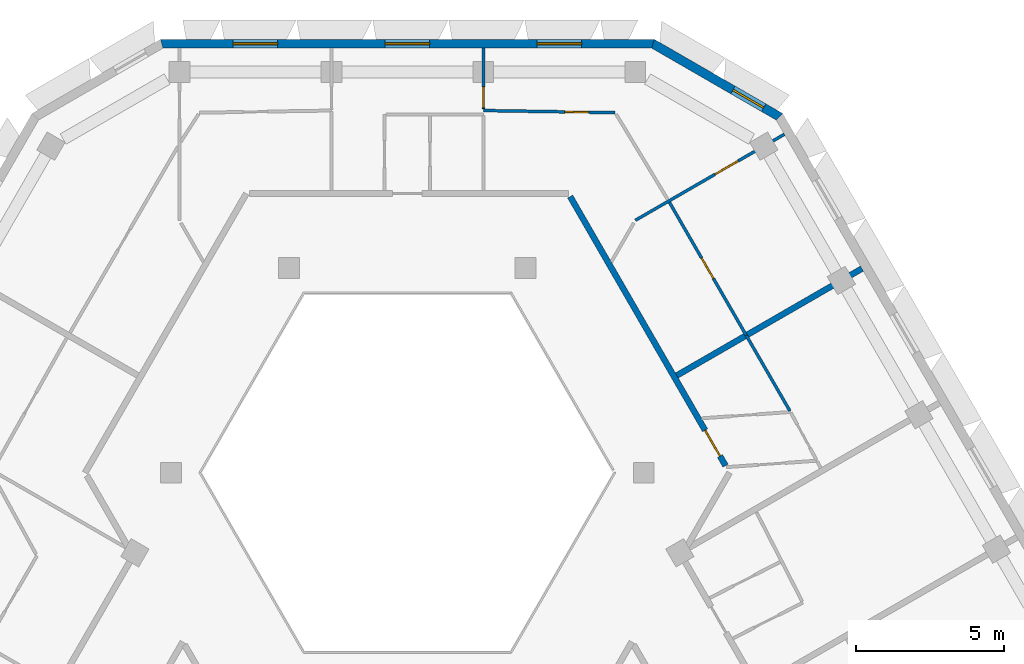
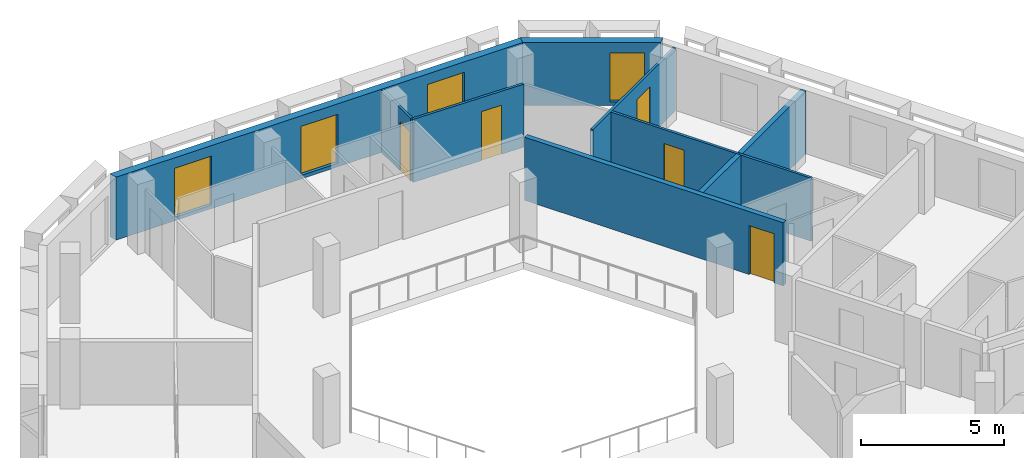
# One storey, part 7 of 14: 9 walls, 5 doors, 4 windows, 9 openings.
"""IFC4 building model written with IfcOpenShell, lengths in metres."""

import ifcopenshell
import ifcopenshell.guid

model = None  # the IFC model being written
_history = None  # IfcOwnerHistory: only IFC2X3 demands one
_inside = {}  # id of a spatial element -> (the spatial element, [elements in it])
_under = {}  # id of a project, library or spatial element -> (it, [spatial elements below it])
_declared = {}  # id of a project -> (the project, [libraries it declares])
_typed = {}  # id of a type object -> (the type object, [elements of that type])
_made_of = {}  # id of a material, layer set ... -> (it, [elements and type objects made of it])


def new_model(schema):
    """Start an empty IFC model of exactly this schema.

    Asked for "IFC4X3", IfcOpenShell would pick the latest addendum, in which some entities
    have other attributes; the version numbers below select the first issue.
    IFC2X3 requires an IfcOwnerHistory on every rooted entity: one is made here for all.
    """
    global model, _history
    if schema == "IFC4X3":
        model = ifcopenshell.file(schema_version=(4, 3, 0, 0))
    else:
        model = ifcopenshell.file(schema=schema)
    _inside.clear()
    _under.clear()
    _declared.clear()
    _typed.clear()
    _made_of.clear()
    _history = None
    if model.schema == "IFC2X3":
        org = make("IfcOrganization", Name="unknown")
        user = make(
            "IfcPersonAndOrganization",
            ThePerson=make("IfcPerson", FamilyName="unknown"),
            TheOrganization=org,
        )
        app = make(
            "IfcApplication",
            ApplicationDeveloper=org,
            Version="unknown",
            ApplicationFullName="unknown",
            ApplicationIdentifier="unknown",
        )
        _history = make(
            "IfcOwnerHistory",
            OwningUser=user,
            OwningApplication=app,
            ChangeAction="ADDED",
            CreationDate=0,
        )
    return model


def make(cls, **values):
    """One entity of the class cls with the attributes given. An attribute that is None is left unset."""
    return model.create_entity(
        cls, **{name: value for name, value in values.items() if value is not None}
    )


def rooted(cls, **values):
    """An entity with a GlobalId (a new one), such as an element, a storey or a relation."""
    return make(cls, GlobalId=ifcopenshell.guid.new(), OwnerHistory=_history, **values)


def si_unit(unit_type, name, prefix=None):
    """IfcSIUnit, for example si_unit("LENGTHUNIT", "METRE", prefix="MILLI")."""
    return make("IfcSIUnit", UnitType=unit_type, Prefix=prefix, Name=name)


def assignment(units):
    """IfcUnitAssignment: the units of a project."""
    return None if units is None else make("IfcUnitAssignment", Units=units)


def point(xyz):
    """IfcCartesianPoint."""
    return None if xyz is None else make("IfcCartesianPoint", Coordinates=xyz)


def direction(xyz):
    """IfcDirection."""
    return None if xyz is None else make("IfcDirection", DirectionRatios=xyz)


def frame(location, z_axis=None, x_axis=None):
    """IfcAxis2Placement3D, a coordinate frame: its origin and axes. An axis left out is left unset."""
    return make(
        "IfcAxis2Placement3D",
        Location=point(location),
        Axis=direction(z_axis),
        RefDirection=direction(x_axis),
    )


def frame_2d(location, x_axis=None):
    """IfcAxis2Placement2D, a coordinate frame in the plane: its origin and x axis."""
    return make(
        "IfcAxis2Placement2D", Location=point(location), RefDirection=direction(x_axis)
    )


def origin():
    """The frame at (0, 0, 0) with its axes left unset."""
    return frame((0.0, 0.0, 0.0))


def place(relative_to, where):
    """IfcLocalPlacement: puts the frame where relative to a parent placement (None: the world)."""
    return make(
        "IfcLocalPlacement", PlacementRelTo=relative_to, RelativePlacement=where
    )


def context(
    kind, dimensions, precision=None, world=None, true_north=None, identifier=None
):
    """IfcGeometricRepresentationContext, for example the 3D "Model" context."""
    return make(
        "IfcGeometricRepresentationContext",
        ContextIdentifier=identifier,
        ContextType=kind,
        CoordinateSpaceDimension=dimensions,
        Precision=precision,
        WorldCoordinateSystem=world,
        TrueNorth=true_north,
    )


def subcontext(parent, identifier, kind, view, scale=None):
    """IfcGeometricRepresentationSubContext, for example "Body" below "Model"."""
    return make(
        "IfcGeometricRepresentationSubContext",
        ContextIdentifier=identifier,
        ContextType=kind,
        ParentContext=parent,
        TargetScale=scale,
        TargetView=view,
    )


def project(units=None, contexts=None):
    """IfcProject with its units and contexts."""
    return rooted(
        "IfcProject",
        Name="project",
        RepresentationContexts=contexts,
        UnitsInContext=assignment(units),
    )


def spatial(cls, under=None, at=None, **own):
    """A site, building, storey or space (cls), placed at a placement, below another one or the project."""
    s = rooted(cls, ObjectPlacement=at, **own)
    if under is not None:
        _under.setdefault(under.id(), (under, []))[1].append(s)
    return s


def polyline(points):
    """IfcPolyline through the points."""
    return make("IfcPolyline", Points=[point(p) for p in points])


def profile(cls, at=None, kind="AREA", **sizes):
    """A parametric profile (cls). Its sizes go by their IFC names, for example OverallWidth=200.0."""
    return make(cls, ProfileType=kind, Position=at, **sizes)


def rectangle(**sizes):
    """IfcRectangleProfileDef."""
    return profile("IfcRectangleProfileDef", **sizes)


def outline(outer, holes=None, kind="AREA"):
    """IfcArbitraryClosedProfileDef: a profile drawn as a closed curve; with holes, ...WithVoids."""
    if holes is None:
        return make("IfcArbitraryClosedProfileDef", ProfileType=kind, OuterCurve=outer)
    return make(
        "IfcArbitraryProfileDefWithVoids",
        ProfileType=kind,
        OuterCurve=outer,
        InnerCurves=holes,
    )


def extrude(swept, where, along, depth):
    """IfcExtrudedAreaSolid: the profile swept, set in the frame where, extruded along a direction by depth."""
    return make(
        "IfcExtrudedAreaSolid",
        SweptArea=swept,
        Position=where,
        ExtrudedDirection=direction(along),
        Depth=depth,
    )


def shape(context_of_items, identifier, shape_type, items):
    """IfcShapeRepresentation: the items that make up one representation, for example the "Body"."""
    return make(
        "IfcShapeRepresentation",
        ContextOfItems=context_of_items,
        RepresentationIdentifier=identifier,
        RepresentationType=shape_type,
        Items=items,
    )


def material(Name=None, Category=None):
    """IfcMaterial."""
    return make("IfcMaterial", Name=Name, Category=Category)


def layer(
    of_material, thickness, ventilated=None, Name=None, Category=None, Priority=None
):
    """IfcMaterialLayer: one layer of a wall or slab, of a material (None: an air gap)."""
    return make(
        "IfcMaterialLayer",
        Material=of_material,
        LayerThickness=thickness,
        IsVentilated=ventilated,
        Name=Name,
        Category=Category,
        Priority=Priority,
    )


def layer_set(layers, Name=None):
    """IfcMaterialLayerSet."""
    return make("IfcMaterialLayerSet", MaterialLayers=layers, LayerSetName=Name)


def made_of(thing, what):
    """Note that an element or type object is made of a material, layer set ...; save() writes the relation."""
    if what is not None:
        _made_of.setdefault(what.id(), (what, []))[1].append(thing)
    return thing


def type_object(cls, material=None, **own):
    """A type object (cls), such as IfcWallType, which elements share."""
    return made_of(rooted(cls, **own), material)


def element(
    cls,
    number,
    at=None,
    inside=None,
    cuts=None,
    type_object=None,
    material=None,
    context=None,
    identifier="Body",
    shape_type=None,
    held_by="IfcProductDefinitionShape",
    body=None,
    shapes=None,
    **own,
):
    """One element of the class cls, such as IfcWall. Its Tag is "e" and its number.

    at: its placement. inside: the storey or other place that contains it. cuts: it is an
    opening in that element (IfcRelVoidsElement). A single representation is given by context,
    identifier, shape_type and body (its items); several are given by shapes. held_by: the class
    of the entity that holds the representations. save() writes the other relations.
    """
    e = rooted(cls, Tag="e%d" % number, ObjectPlacement=at, **own)
    if body is not None:
        shapes = [shape(context, identifier, shape_type, body)]
    if shapes is not None:
        e.Representation = make(held_by, Representations=shapes)
    if inside is not None:
        _inside.setdefault(inside.id(), (inside, []))[1].append(e)
    if cuts is not None:
        rooted(
            "IfcRelVoidsElement", RelatingBuildingElement=cuts, RelatedOpeningElement=e
        )
    if type_object is not None:
        _typed.setdefault(type_object.id(), (type_object, []))[1].append(e)
    return made_of(e, material)


def fill(opening, filler):
    """IfcRelFillsElement: the door or window that sits in an opening."""
    return rooted(
        "IfcRelFillsElement",
        RelatingOpeningElement=opening,
        RelatedBuildingElement=filler,
    )


def aggregate(whole, parts):
    """IfcRelAggregates: a whole, such as a stair, and the parts it consists of."""
    return rooted("IfcRelAggregates", RelatingObject=whole, RelatedObjects=parts)


def save(model, path):
    """Write the relations noted so far, then the file.

    IfcRelAggregates (storeys below a building ...), IfcRelContainedInSpatialStructure (elements
    in a storey), IfcRelDefinesByType, IfcRelAssociatesMaterial and IfcRelDeclares: one each for
    every whole, place, type object, material and project.
    """
    for whole, parts in _under.values():
        aggregate(whole, parts)
    for where, things in _inside.values():
        rooted(
            "IfcRelContainedInSpatialStructure",
            RelatedElements=things,
            RelatingStructure=where,
        )
    for kind, things in _typed.values():
        rooted("IfcRelDefinesByType", RelatedObjects=things, RelatingType=kind)
    for what, things in _made_of.values():
        rooted("IfcRelAssociatesMaterial", RelatedObjects=things, RelatingMaterial=what)
    for by, libraries in _declared.values():
        rooted("IfcRelDeclares", RelatingContext=by, RelatedDefinitions=libraries)
    model.write(path)


model = new_model("IFC4")

# Units and contexts
model_context = context("Model", 3, precision=1e-05, world=origin(), true_north=direction((0.0, 1.0)))
body_context = subcontext(model_context, "Body", "Model", "MODEL_VIEW")
ifc_project = project(units=[si_unit("LENGTHUNIT", "METRE"), si_unit("AREAUNIT", "SQUARE_METRE"), si_unit("VOLUMEUNIT", "CUBIC_METRE"), si_unit("PLANEANGLEUNIT", "RADIAN"), si_unit("MASSUNIT", "GRAM", prefix="KILO")], contexts=[model_context])

# Site, building, storey
site_placement = place(None, origin())
site = spatial("IfcSite", under=ifc_project, at=site_placement, CompositionType="ELEMENT")
building_placement = place(site_placement, origin())
building = spatial("IfcBuilding", under=site, at=building_placement, Name="Beryl Residences", CompositionType="ELEMENT")
storey_placement = place(building_placement, frame((0.0, 0.0, 235.800048828125)))
storey = spatial("IfcBuildingStorey", under=building, at=storey_placement, Name="L73", CompositionType="ELEMENT", Elevation=235.800048828125)

# Wall, openings, windows
ifc_material_1 = material(Name="Composite metal panel with mineral wool insulation")
ifc_layer_1 = layer(ifc_material_1, 0.300048828125)
ifc_layer_set_1 = layer_set([ifc_layer_1], Name="ES1 pale metal composite panel wall 300 mm")
wall_type_1 = type_object("IfcWallType", Name="ES1 pale metal composite panel wall 300 mm", PredefinedType="SOLIDWALL", material=ifc_layer_set_1)
wall_1_placement = place(storey_placement, frame((8.31396484375, 22.449951171875, 0.0), z_axis=(0.0, 0.0, 1.0), x_axis=(-1.0, 0.0, 0.0)))
wall_1 = element("IfcWall", 1, at=wall_1_placement, inside=storey, type_object=wall_type_1, Name="ES1 external wall L73 N", PredefinedType="SOLIDWALL", context=body_context, shape_type="SweptSolid", body=[
    extrude(outline(polyline([(0.0, -0.14990234375), (16.6279296875, -0.14990234375), (16.547607421875, 0.14990234375), (0.080322265625, 0.14990234375), (0.0, -0.14990234375)])), origin(), (0.0, 0.0, 1.0), 2.699951171875),
])
opening_1_placement = place(wall_1_placement, frame((2.444091796875, 0.0, 0.14990234375)))
opening_1 = element("IfcOpeningElement", 2, at=opening_1_placement, cuts=wall_1, Name="Opening W1", PredefinedType="OPENING", context=body_context, shape_type="SweptSolid", body=[
    extrude(rectangle(XDim=1.5, YDim=2.10009765625, at=frame_2d((0.75, 1.050048828125))), frame((0.0, 0.159912109375, 0.0), z_axis=(0.0, -1.0, 0.0), x_axis=(1.0, 0.0, 0.0)), (0.0, 0.0, 1.0), 0.320068359375),
])
opening_2_placement = place(wall_1_placement, frame((7.56396484375, 0.0, 0.14990234375)))
opening_2 = element("IfcOpeningElement", 3, at=opening_2_placement, cuts=wall_1, Name="Opening W1", PredefinedType="OPENING", context=body_context, shape_type="SweptSolid", body=[
    extrude(rectangle(XDim=1.5, YDim=2.10009765625, at=frame_2d((0.75, 1.050048828125))), frame((0.0, 0.159912109375, 0.0), z_axis=(0.0, -1.0, 0.0), x_axis=(1.0, 0.0, 0.0)), (0.0, 0.0, 1.0), 0.320068359375),
])
opening_3_placement = place(wall_1_placement, frame((12.68310546875, 0.0, 0.14990234375)))
opening_3 = element("IfcOpeningElement", 4, at=opening_3_placement, cuts=wall_1, Name="Opening W1", PredefinedType="OPENING", context=body_context, shape_type="SweptSolid", body=[
    extrude(rectangle(XDim=1.5, YDim=2.10009765625, at=frame_2d((0.75, 1.050048828125))), frame((0.0, 0.159912109375, 0.0), z_axis=(0.0, -1.0, 0.0), x_axis=(1.0, 0.0, 0.0)), (0.0, 0.0, 1.0), 0.320068359375),
])
ifc_material_2 = material(Name="Aluminium and clear glass", Category="aluminium")
window_type_1 = type_object("IfcWindowType", Name="W1 cell window 1500 x 2100 mm", PartitioningType="SINGLE_PANEL", PredefinedType="WINDOW", material=ifc_material_2)
window_1_placement = place(opening_1_placement, origin())
window_1 = element("IfcWindow", 5, at=window_1_placement, inside=storey, type_object=window_type_1, Name="W1 window L73 N 2", OverallHeight=2.10009765625, OverallWidth=1.5, PartitioningType="SINGLE_PANEL", PredefinedType="WINDOW", context=body_context, shape_type="SweptSolid", body=[
    extrude(rectangle(XDim=1.5, YDim=2.10009765625, at=frame_2d((0.75, 1.050048828125))), frame((0.0, 0.030029296875, 0.0), z_axis=(0.0, -1.0, 0.0), x_axis=(1.0, 0.0, 0.0)), (0.0, 0.0, 1.0), 0.06005859375),
])
fill(opening_1, window_1)
window_2_placement = place(opening_2_placement, origin())
window_2 = element("IfcWindow", 6, at=window_2_placement, inside=storey, type_object=window_type_1, Name="W1 window L73 N 4", OverallHeight=2.10009765625, OverallWidth=1.5, PartitioningType="SINGLE_PANEL", PredefinedType="WINDOW", context=body_context, shape_type="SweptSolid", body=[
    extrude(rectangle(XDim=1.5, YDim=2.10009765625, at=frame_2d((0.75, 1.050048828125))), frame((0.0, 0.030029296875, 0.0), z_axis=(0.0, -1.0, 0.0), x_axis=(1.0, 0.0, 0.0)), (0.0, 0.0, 1.0), 0.06005859375),
])
fill(opening_2, window_2)
window_3_placement = place(opening_3_placement, origin())
window_3 = element("IfcWindow", 7, at=window_3_placement, inside=storey, type_object=window_type_1, Name="W1 window L73 N 6", OverallHeight=2.10009765625, OverallWidth=1.5, PartitioningType="SINGLE_PANEL", PredefinedType="WINDOW", context=body_context, shape_type="SweptSolid", body=[
    extrude(rectangle(XDim=1.5, YDim=2.10009765625, at=frame_2d((0.75, 1.050048828125))), frame((0.0, 0.030029296875, 0.0), z_axis=(0.0, -1.0, 0.0), x_axis=(1.0, 0.0, 0.0)), (0.0, 0.0, 1.0), 0.06005859375),
])
fill(opening_3, window_3)

# Wall, opening, window
wall_2_placement = place(storey_placement, frame((12.569091796875, 19.969970703125, 0.0), z_axis=(0.0, 0.0, 1.0), x_axis=(-0.866022959057, 0.500004234368, 0.0)))
wall_2 = element("IfcWall", 8, at=wall_2_placement, inside=storey, type_object=wall_type_1, Name="ES1 external wall L73 NE-N", PredefinedType="SOLIDWALL", context=body_context, shape_type="SweptSolid", body=[
    extrude(outline(polyline([(0.0, -0.14990234375), (5.0, -0.14990234375), (4.919677734375, 0.14990234375), (0.080322265625, 0.14990234375), (0.0, -0.14990234375)])), origin(), (0.0, 0.0, 1.0), 2.699951171875),
])
opening_4_placement = place(wall_2_placement, frame((0.64990234375, 0.0, 0.14990234375)))
opening_4 = element("IfcOpeningElement", 9, at=opening_4_placement, cuts=wall_2, Name="Opening W2", PredefinedType="OPENING", context=body_context, shape_type="SweptSolid", body=[
    extrude(rectangle(XDim=1.199951171875, YDim=2.10009765625, at=frame_2d((0.60009765625, 1.050048828125))), frame((0.0, 0.159912109375, 0.0), z_axis=(0.0, -1.0, 0.0), x_axis=(1.0, 0.0, 0.0)), (0.0, 0.0, 1.0), 0.320068359375),
])
ifc_material_3 = material(Name="Aluminium and clear glass", Category="aluminium")
window_type_2 = type_object("IfcWindowType", Name="W2 chamfer window 1200 x 2100 mm", PartitioningType="SINGLE_PANEL", PredefinedType="WINDOW", material=ifc_material_3)
window_4_placement = place(opening_4_placement, origin())
window_4 = element("IfcWindow", 10, at=window_4_placement, inside=storey, type_object=window_type_2, Name="W2 window L73 NE-N 1", OverallHeight=2.10009765625, OverallWidth=1.199951171875, PartitioningType="SINGLE_PANEL", PredefinedType="WINDOW", context=body_context, shape_type="SweptSolid", body=[
    extrude(rectangle(XDim=1.199951171875, YDim=2.10009765625, at=frame_2d((0.60009765625, 1.050048828125))), frame((0.0, 0.030029296875, 0.0), z_axis=(0.0, -1.0, 0.0), x_axis=(1.0, 0.0, 0.0)), (0.0, 0.0, 1.0), 0.06005859375),
])
fill(opening_4, window_4)

# Wall, opening, door
ifc_material_4 = material(Name="Gypsum board partition on steel studs", Category="steel")
ifc_layer_2 = layer(ifc_material_4, 0.10009765625)
ifc_layer_set_2 = layer_set([ifc_layer_2], Name="PT1 partition 100 mm gypsum board on steel studs")
wall_type_2 = type_object("IfcWallType", Name="PT1 partition 100 mm gypsum board on steel studs", PredefinedType="PARTITIONING", material=ifc_layer_set_2)
wall_3_placement = place(storey_placement, frame((8.8291015625, 17.10693359375, 0.0), z_axis=(0.0, 0.0, 1.0), x_axis=(0.500035512416, -0.866004899711, 0.0)))
wall_3 = element("IfcWall", 11, at=wall_3_placement, inside=storey, type_object=wall_type_2, Name="Wall PT1 L73 004", PredefinedType="PARTITIONING", context=body_context, shape_type="SweptSolid", body=[
    extrude(rectangle(XDim=5.17529296875, YDim=0.10009765625, at=frame_2d((2.587646484375, 0.0))), origin(), (0.0, 0.0, 1.0), 2.699951171875),
])
opening_5_placement = place(wall_3_placement, frame((2.1630859375, 0.0, 0.0)))
opening_5 = element("IfcOpeningElement", 12, at=opening_5_placement, cuts=wall_3, Name="Opening D2207", PredefinedType="OPENING", context=body_context, shape_type="SweptSolid", body=[
    extrude(rectangle(XDim=0.800048828125, YDim=2.10009765625, at=frame_2d((0.39990234375, 1.050048828125))), frame((0.0, 0.06005859375, 0.0), z_axis=(0.0, -1.0, 0.0), x_axis=(1.0, 0.0, 0.0)), (0.0, 0.0, 1.0), 0.1201171875),
])
ifc_material_5 = material(Name="Timber door leaf", Category="wood")
door_type_1 = type_object("IfcDoorType", Name="D3 bathroom door 800 x 2100 mm", OperationType="SINGLE_SWING_LEFT", PredefinedType="DOOR", material=ifc_material_5)
door_1_placement = place(opening_5_placement, origin())
door_1 = element("IfcDoor", 13, at=door_1_placement, inside=storey, type_object=door_type_1, Name="Door D2207 L73 001", OperationType="SINGLE_SWING_LEFT", OverallHeight=2.10009765625, OverallWidth=0.800048828125, PredefinedType="DOOR", context=body_context, shape_type="SweptSolid", body=[
    extrude(rectangle(XDim=0.800048828125, YDim=2.10009765625, at=frame_2d((0.39990234375, 1.050048828125))), frame((0.0, 0.02490234375, 0.0), z_axis=(0.0, -1.0, 0.0), x_axis=(1.0, 0.0, 0.0)), (0.0, 0.0, 1.0), 0.050048828125),
])
fill(opening_5, door_1)

wall_4_placement = place(storey_placement, frame((2.56005859375, 22.300048828125, 0.0), z_axis=(0.0, 0.0, 1.0), x_axis=(0.0, -1.0, 0.0)))
wall_4 = element("IfcWall", 14, at=wall_4_placement, inside=storey, type_object=wall_type_2, Name="Wall PT1 L73 011", PredefinedType="PARTITIONING", context=body_context, shape_type="SweptSolid", body=[
    extrude(rectangle(XDim=2.050048828125, YDim=0.10009765625, at=frame_2d((1.02490234375, 0.0))), origin(), (0.0, 0.0, 1.0), 2.699951171875),
])
opening_6_placement = place(wall_4_placement, frame((1.300048828125, 0.0, 0.0)))
opening_6 = element("IfcOpeningElement", 15, at=opening_6_placement, cuts=wall_4, Name="Opening D2205", PredefinedType="OPENING", context=body_context, shape_type="SweptSolid", body=[
    extrude(rectangle(XDim=0.699951171875, YDim=2.10009765625, at=frame_2d((0.35009765625, 1.050048828125))), frame((0.0, 0.06005859375, 0.0), z_axis=(0.0, -1.0, 0.0), x_axis=(1.0, 0.0, 0.0)), (0.0, 0.0, 1.0), 0.1201171875),
])
ifc_material_6 = material(Name="Timber door leaf", Category="wood")
door_type_2 = type_object("IfcDoorType", Name="D14 room door 700 x 2100 mm", OperationType="SINGLE_SWING_LEFT", PredefinedType="DOOR", material=ifc_material_6)
door_2_placement = place(opening_6_placement, origin())
door_2 = element("IfcDoor", 16, at=door_2_placement, inside=storey, type_object=door_type_2, Name="Door D2205 L73 001", OperationType="SINGLE_SWING_LEFT", OverallHeight=2.10009765625, OverallWidth=0.699951171875, PredefinedType="DOOR", context=body_context, shape_type="SweptSolid", body=[
    extrude(rectangle(XDim=0.699951171875, YDim=2.10009765625, at=frame_2d((0.35009765625, 1.050048828125))), frame((0.0, 0.02490234375, 0.0), z_axis=(0.0, -1.0, 0.0), x_axis=(1.0, 0.0, 0.0)), (0.0, 0.0, 1.0), 0.050048828125),
])
fill(opening_6, door_2)

wall_5_placement = place(storey_placement, frame((2.56005859375, 20.199951171875, 0.0), z_axis=(0.0, 0.0, 1.0), x_axis=(0.999868576801, -0.016212005615, 0.0)))
wall_5 = element("IfcWall", 17, at=wall_5_placement, inside=storey, type_object=wall_type_2, Name="Wall PT1 L73 013", PredefinedType="PARTITIONING", context=body_context, shape_type="SweptSolid", body=[
    extrude(rectangle(XDim=4.4423828125, YDim=0.10009765625, at=frame_2d((2.22119140625, 0.0))), origin(), (0.0, 0.0, 1.0), 2.699951171875),
])
opening_7_placement = place(wall_5_placement, frame((2.74609375, 0.0, 0.0)))
opening_7 = element("IfcOpeningElement", 18, at=opening_7_placement, cuts=wall_5, Name="Opening D2208", PredefinedType="OPENING", context=body_context, shape_type="SweptSolid", body=[
    extrude(rectangle(XDim=0.800048828125, YDim=2.10009765625, at=frame_2d((0.39990234375, 1.050048828125))), frame((0.0, 0.06005859375, 0.0), z_axis=(0.0, -1.0, 0.0), x_axis=(1.0, 0.0, 0.0)), (0.0, 0.0, 1.0), 0.1201171875),
])
door_3_placement = place(opening_7_placement, origin())
door_3 = element("IfcDoor", 19, at=door_3_placement, inside=storey, type_object=door_type_1, Name="Door D2208 L73 001", OperationType="SINGLE_SWING_RIGHT", OverallHeight=2.10009765625, OverallWidth=0.800048828125, PredefinedType="DOOR", context=body_context, shape_type="SweptSolid", body=[
    extrude(rectangle(XDim=0.800048828125, YDim=2.10009765625, at=frame_2d((0.39990234375, 1.050048828125))), frame((0.0, 0.02490234375, 0.0), z_axis=(0.0, -1.0, 0.0), x_axis=(1.0, 0.0, 0.0)), (0.0, 0.0, 1.0), 0.050048828125),
])
fill(opening_7, door_3)

wall_6_placement = place(storey_placement, frame((7.679931640625, 16.5009765625, 0.0), z_axis=(0.0, 0.0, 1.0), x_axis=(0.86602149507, 0.500006770031, 0.0)))
wall_6 = element("IfcWall", 20, at=wall_6_placement, inside=storey, type_object=wall_type_2, Name="Wall PT1 L73 034", PredefinedType="PARTITIONING", context=body_context, shape_type="SweptSolid", body=[
    extrude(rectangle(XDim=5.7978515625, YDim=0.10009765625, at=frame_2d((2.89892578125, 0.0))), origin(), (0.0, 0.0, 1.0), 2.699951171875),
])
opening_8_placement = place(wall_6_placement, frame((3.097900390625, 0.0, 0.0)))
opening_8 = element("IfcOpeningElement", 21, at=opening_8_placement, cuts=wall_6, Name="Opening D2206", PredefinedType="OPENING", context=body_context, shape_type="SweptSolid", body=[
    extrude(rectangle(XDim=0.89990234375, YDim=2.10009765625, at=frame_2d((0.449951171875, 1.050048828125))), frame((0.0, 0.06005859375, 0.0), z_axis=(0.0, -1.0, 0.0), x_axis=(1.0, 0.0, 0.0)), (0.0, 0.0, 1.0), 0.1201171875),
])
ifc_material_7 = material(Name="Timber door leaf", Category="wood")
door_type_3 = type_object("IfcDoorType", Name="D2 room door 900 x 2100 mm", OperationType="SINGLE_SWING_LEFT", PredefinedType="DOOR", material=ifc_material_7)
door_4_placement = place(opening_8_placement, origin())
door_4 = element("IfcDoor", 22, at=door_4_placement, inside=storey, type_object=door_type_3, Name="Door D2206 L73 001", OperationType="SINGLE_SWING_RIGHT", OverallHeight=2.10009765625, OverallWidth=0.89990234375, PredefinedType="DOOR", context=body_context, shape_type="SweptSolid", body=[
    extrude(rectangle(XDim=0.89990234375, YDim=2.10009765625, at=frame_2d((0.449951171875, 1.050048828125))), frame((0.0, 0.02490234375, 0.0), z_axis=(0.0, -1.0, 0.0), x_axis=(1.0, 0.0, 0.0)), (0.0, 0.0, 1.0), 0.050048828125),
])
fill(opening_8, door_4)

# Walls
wall_7_placement = place(storey_placement, frame((11.4169921875, 12.625, 0.0), z_axis=(0.0, 0.0, 1.0), x_axis=(0.500055103712, -0.865993587304, 0.0)))
element("IfcWall", 23, at=wall_7_placement, inside=storey, type_object=wall_type_2, Name="Wall PT1 L73 041", PredefinedType="PARTITIONING", context=body_context, shape_type="SweptSolid", body=[
    extrude(rectangle(XDim=2.943603515625, YDim=0.10009765625, at=frame_2d((1.4716796875, 0.0))), origin(), (0.0, 0.0, 1.0), 2.699951171875),
])
ifc_material_8 = material(Name="Acoustic double stud gypsum board wall")
ifc_layer_3 = layer(ifc_material_8, 0.199951171875)
ifc_layer_set_3 = layer_set([ifc_layer_3], Name="PT3 party wall 200 mm acoustic double stud")
wall_type_3 = type_object("IfcWallType", Name="PT3 party wall 200 mm acoustic double stud", PredefinedType="PARTITIONING", material=ifc_layer_set_3)
wall_8_placement = place(storey_placement, frame((9.0791015625, 11.27490234375, 0.0), z_axis=(0.0, 0.0, 1.0), x_axis=(0.866001485781, 0.500041424909, 0.0)))
element("IfcWall", 24, at=wall_8_placement, inside=storey, type_object=wall_type_3, Name="Wall PT3 L73 010", PredefinedType="PARTITIONING", context=body_context, shape_type="SweptSolid", body=[
    extrude(rectangle(XDim=7.19970703125, YDim=0.199951171875, at=frame_2d((3.599853515625, 0.0))), origin(), (0.0, 0.0, 1.0), 2.699951171875),
])

# Wall, opening, door
ifc_material_9 = material(Name="Double stud gypsum board wall")
ifc_layer_4 = layer(ifc_material_9, 0.199951171875)
ifc_layer_set_4 = layer_set([ifc_layer_4], Name="PT4 corridor wall 200 mm double stud")
wall_type_4 = type_object("IfcWallType", Name="PT4 corridor wall 200 mm double stud", PredefinedType="PARTITIONING", material=ifc_layer_set_4)
wall_9_placement = place(storey_placement, frame((5.485107421875, 17.300048828125, 0.0), z_axis=(0.0, 0.0, 1.0), x_axis=(0.500017221754, -0.866015460572, 0.0)))
wall_9 = element("IfcWall", 25, at=wall_9_placement, inside=storey, type_object=wall_type_4, Name="Wall PT4 L73 006", PredefinedType="PARTITIONING", context=body_context, shape_type="SweptSolid", body=[
    extrude(rectangle(XDim=10.467529296875, YDim=0.199951171875, at=frame_2d((5.23388671875, 0.0))), origin(), (0.0, 0.0, 1.0), 2.699951171875),
])
opening_9_placement = place(wall_9_placement, frame((9.092041015625, 0.0, 0.0)))
opening_9 = element("IfcOpeningElement", 26, at=opening_9_placement, cuts=wall_9, Name="Opening D2230", PredefinedType="OPENING", context=body_context, shape_type="SweptSolid", body=[
    extrude(rectangle(XDim=1.0, YDim=2.10009765625, at=frame_2d((0.5, 1.050048828125))), frame((0.0, 0.10986328125, 0.0), z_axis=(0.0, -1.0, 0.0), x_axis=(1.0, 0.0, 0.0)), (0.0, 0.0, 1.0), 0.219970703125),
])
ifc_material_10 = material(Name="Timber door leaf", Category="wood")
door_type_4 = type_object("IfcDoorType", Name="D1 flat entrance door 1000 x 2100 mm", OperationType="SINGLE_SWING_LEFT", PredefinedType="DOOR", material=ifc_material_10)
door_5_placement = place(opening_9_placement, origin())
door_5 = element("IfcDoor", 27, at=door_5_placement, inside=storey, type_object=door_type_4, Name="Door D2230 L73 001", OperationType="SINGLE_SWING_RIGHT", OverallHeight=2.10009765625, OverallWidth=1.0, PredefinedType="DOOR", context=body_context, shape_type="SweptSolid", body=[
    extrude(rectangle(XDim=1.0, YDim=2.10009765625, at=frame_2d((0.5, 1.050048828125))), frame((0.0, 0.02490234375, 0.0), z_axis=(0.0, -1.0, 0.0), x_axis=(1.0, 0.0, 0.0)), (0.0, 0.0, 1.0), 0.050048828125),
])
fill(opening_9, door_5)

save(model, "model.ifc")
